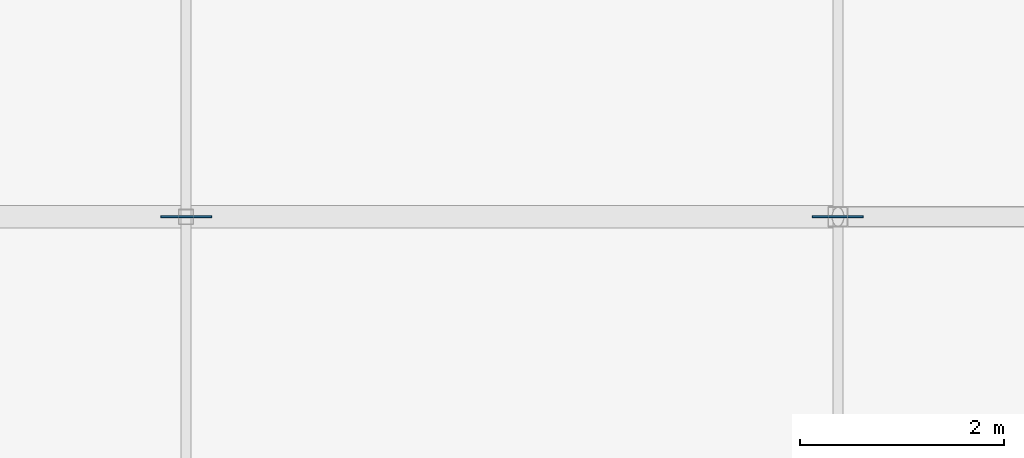
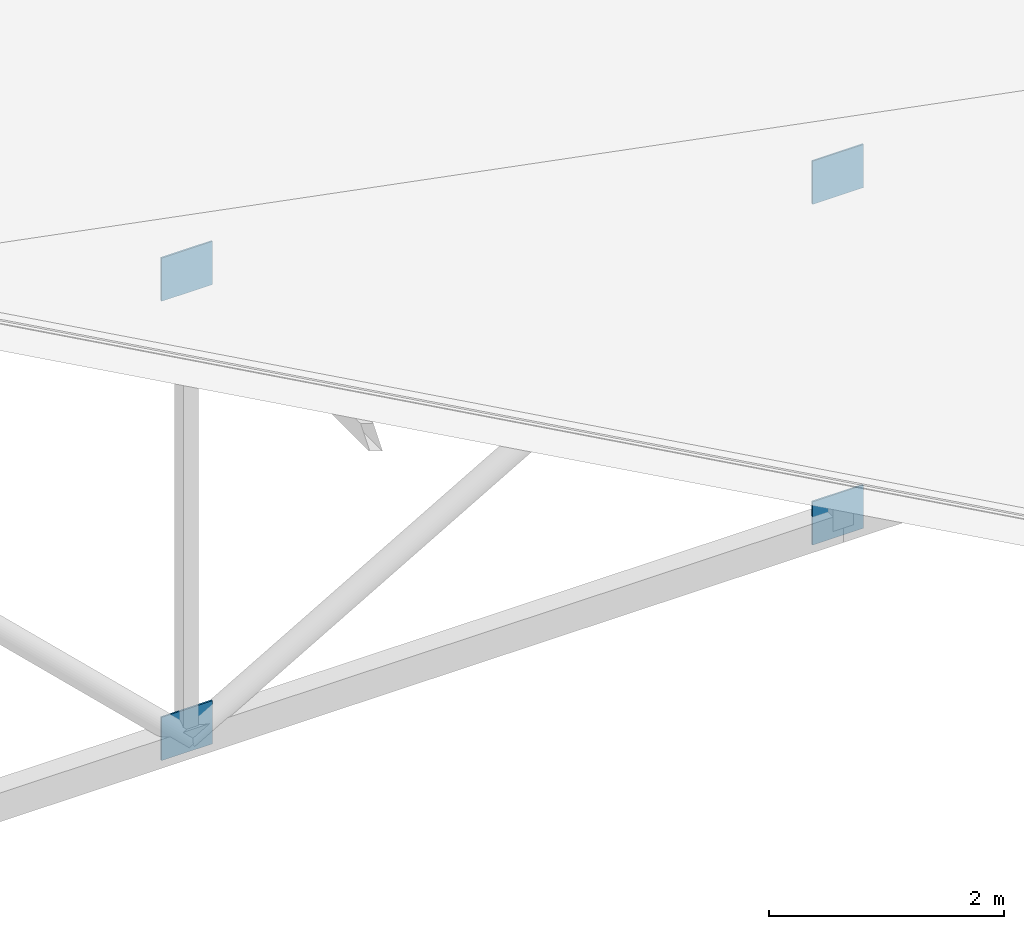
# One storey, part 161 of 200: 4 plates.
"""IFC4 building model written with IfcOpenShell, lengths in metres."""

from ifc_helpers import new_model, si_unit, direction, frame, origin, origin_2d, place, context, subcontext, project, spatial, rectangle, extrude, material, layer, layer_set, type_object, element, save


model = new_model("IFC4")

# Units and contexts
model_context = context("Model", 3, precision=1e-05, world=origin(), true_north=direction((0.0, 1.0)))
body_context = subcontext(model_context, "Body", "Model", "MODEL_VIEW")
ifc_project = project(units=[si_unit("LENGTHUNIT", "METRE"), si_unit("AREAUNIT", "SQUARE_METRE"), si_unit("VOLUMEUNIT", "CUBIC_METRE"), si_unit("PLANEANGLEUNIT", "RADIAN"), si_unit("MASSUNIT", "GRAM", prefix="KILO")], contexts=[model_context])

# Site, building, storey
site_placement = place(None, origin())
site = spatial("IfcSite", under=ifc_project, at=site_placement, CompositionType="ELEMENT")
building_placement = place(site_placement, origin())
building = spatial("IfcBuilding", under=site, at=building_placement, Name="Vondelvale Polytechnic", CompositionType="ELEMENT")
storey_placement = place(building_placement, frame((0.0, 0.0, 13.800048828125)))
storey = spatial("IfcBuildingStorey", under=building, at=storey_placement, Name="L03", CompositionType="ELEMENT", Elevation=13.800048828125)

# Plates
ifc_material = material(Name="Steel Grade 350 (fy = 340 MPa)", Category="steel")
ifc_layer = layer(ifc_material, 0.01611328125)
ifc_layer_set = layer_set([ifc_layer], Name="PLATE-GUSSET-16")
plate_type = type_object("IfcPlateType", Name="PLATE-GUSSET-16", PredefinedType="USERDEFINED", material=ifc_layer_set)
for number, where, z_axis, x_axis, name in (
    (1, (22.39990234375, 102.0, 4.20849609375), (0.0, 0.0, 1.0), (1.0, 0.0, 0.0), "ROOF TRUSS top chord gusset node plate 4"),
    (2, (22.39990234375, 102.0, -0.56494140625), (0.0, 0.0, 1.0), (1.0, 0.0, 0.0), "ROOF TRUSS bottom chord gusset node plate 4"),
    (3, (28.800048828125, 102.0, 2.97509765625), (0.0, 0.0, 1.0), (1.0, 0.0, 0.0), "ROOF TRUSS top chord gusset node plate 5"),
    (4, (28.800048828125, 102.0, -0.56494140625), (0.0, 0.0, 1.0), (1.0, 0.0, 0.0), "ROOF TRUSS bottom chord gusset node plate 5"),
):
    element("IfcPlate", number, at=place(storey_placement, frame(where, z_axis=z_axis, x_axis=x_axis)), inside=storey, type_object=plate_type, Name=name, ObjectType="GUSSET_PLATE", PredefinedType="USERDEFINED", context=body_context, shape_type="SweptSolid", body=[
        extrude(rectangle(XDim=0.5, YDim=0.01611328125, at=origin_2d()), origin(), (0.0, 0.0, 1.0), 0.449951171875),
    ])

save(model, "model.ifc")
